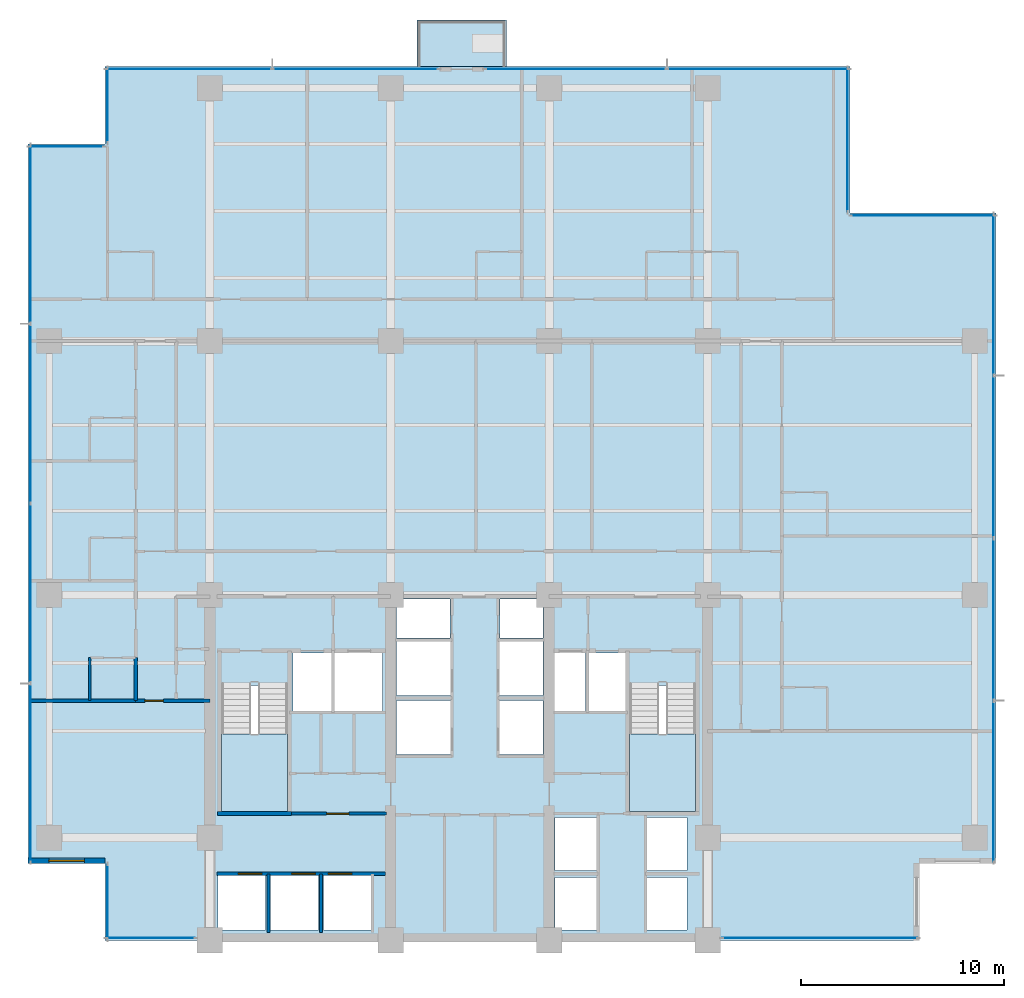
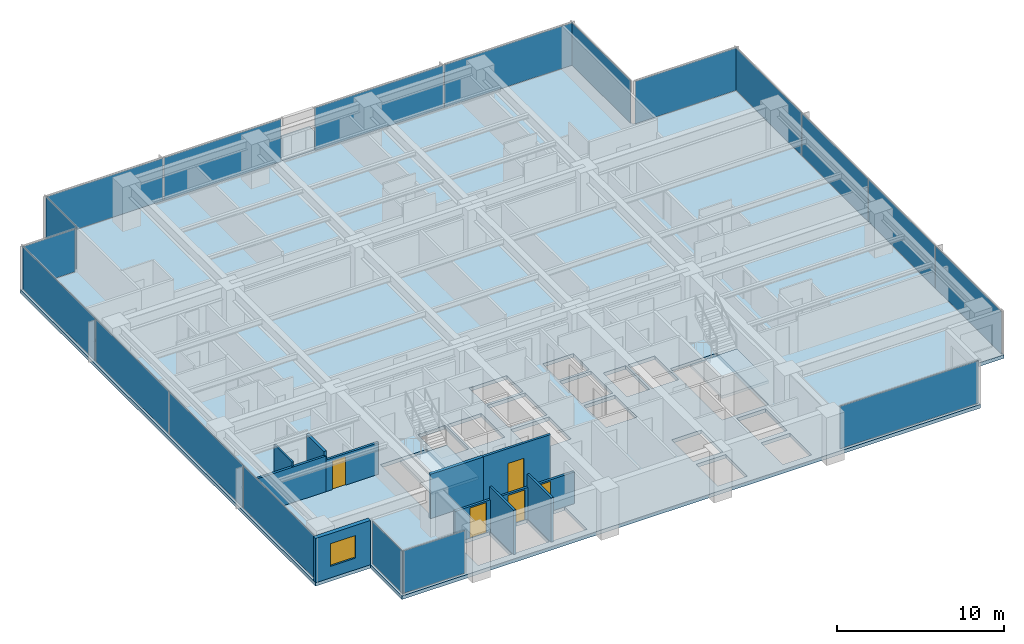
# One storey, part 7 of 17: 19 plates, 10 walls, 5 doors, 4 slabs, 1 window, 6 openings, 13 elements without a shape of their own.
"""IFC4 building model written with IfcOpenShell, lengths in metres."""

from ifc_helpers import new_model, si_unit, direction, frame, frame_2d, origin, origin_2d, place, context, subcontext, project, spatial, polyline, rectangle, outline, extrude, material, layer, layer_set, type_object, element, fill, aggregate, save


model = new_model("IFC4")

# Units and contexts
model_context = context("Model", 3, precision=1e-05, world=origin(), true_north=direction((0.0, 1.0)))
body_context = subcontext(model_context, "Body", "Model", "MODEL_VIEW")
ifc_project = project(units=[si_unit("LENGTHUNIT", "METRE"), si_unit("AREAUNIT", "SQUARE_METRE"), si_unit("VOLUMEUNIT", "CUBIC_METRE"), si_unit("PLANEANGLEUNIT", "RADIAN"), si_unit("MASSUNIT", "GRAM", prefix="KILO")], contexts=[model_context])

# Site, building, storey
site_placement = place(None, origin())
site = spatial("IfcSite", under=ifc_project, at=site_placement, CompositionType="ELEMENT")
building_placement = place(site_placement, origin())
building = spatial("IfcBuilding", under=site, at=building_placement, Name="Qalmaran Belvedere Hotel", CompositionType="ELEMENT")
storey_placement = place(building_placement, frame((0.0, 0.0, 98.699951171875)))
storey = spatial("IfcBuildingStorey", under=building, at=storey_placement, Name="L24", CompositionType="ELEMENT", Elevation=98.699951171875)

# Curtain wall, plate
ifc_material_1 = material(Name="Anodised Bronze Aluminium", Category="aluminium")
ifc_layer_1 = layer(ifc_material_1, 0.199951171875, Name="Anodised Bronze Aluminium")
ifc_layer_set_1 = layer_set([ifc_layer_1], Name="Anodised Bronze Aluminium")
curtain_wall_type = type_object("IfcCurtainWallType", Name="CW3-TOWER-LOWMID", PredefinedType="NOTDEFINED", material=ifc_layer_set_1)
curtain_wall_1_placement = place(storey_placement, origin())
curtain_wall_1 = element("IfcCurtainWall", 1, at=curtain_wall_1_placement, inside=storey, type_object=curtain_wall_type, Name="L24 Curtain Wall CW3", PredefinedType="NOTDEFINED")
ifc_material_2 = material(Name="Solar-Control Double Glazing", Category="glass")
ifc_layer_2 = layer(ifc_material_2, 0.028076171875, Name="Solar-Control Double Glazing")
ifc_layer_set_2 = layer_set([ifc_layer_2], Name="Solar-Control Double Glazing")
plate_type = type_object("IfcPlateType", Name="CWP-VISION-28", PredefinedType="CURTAIN_PANEL", material=ifc_layer_set_2)
plate_1_placement = place(storey_placement, frame((17.392578125, 3.6201171875, 0.06494140625), z_axis=(0.0, 0.0, 1.0), x_axis=(1.0, 0.0, 0.0)))
plate_1 = element("IfcPlate", 2, at=plate_1_placement, type_object=plate_type, Name="CW3 panel 1.1", PredefinedType="CURTAIN_PANEL", context=body_context, shape_type="SweptSolid", body=[
    extrude(rectangle(XDim=4.344970703125, YDim=0.028076171875, at=origin_2d()), origin(), (0.0, 0.0, 1.0), 3.110107421875),
])
aggregate(curtain_wall_1, [plate_1])

curtain_wall_2_placement = place(storey_placement, origin())
curtain_wall_2 = element("IfcCurtainWall", 3, at=curtain_wall_2_placement, inside=storey, type_object=curtain_wall_type, Name="L24 Curtain Wall CW3", PredefinedType="NOTDEFINED")
plate_2_placement = place(storey_placement, frame((50.33251953125, 3.6201171875, 0.06494140625), z_axis=(0.0, 0.0, 1.0), x_axis=(1.0, 0.0, 0.0)))
plate_2 = element("IfcPlate", 4, at=plate_2_placement, type_object=plate_type, Name="CW3 panel 1.1", PredefinedType="CURTAIN_PANEL", context=body_context, shape_type="SweptSolid", body=[
    extrude(rectangle(XDim=9.594970703125, YDim=0.028076171875, at=origin_2d()), origin(), (0.0, 0.0, 1.0), 3.110107421875),
])
aggregate(curtain_wall_2, [plate_2])

# Curtain wall, plates
curtain_wall_3_placement = place(storey_placement, origin())
curtain_wall_3 = element("IfcCurtainWall", 5, at=curtain_wall_3_placement, inside=storey, type_object=curtain_wall_type, Name="L24 Curtain Wall CW3", PredefinedType="NOTDEFINED")
plate_3_placement = place(storey_placement, frame((58.8798828125, 11.3173828125, 0.06494140625), z_axis=(0.0, 0.0, 1.0), x_axis=(0.0, 1.0, 0.0)))
plate_3 = element("IfcPlate", 6, at=plate_3_placement, type_object=plate_type, Name="CW3 panel 1.1", PredefinedType="CURTAIN_PANEL", context=body_context, shape_type="SweptSolid", body=[
    extrude(rectangle(XDim=7.89501953125, YDim=0.028076171875, at=origin_2d()), origin(), (0.0, 0.0, 1.0), 3.110107421875),
])
plate_4_placement = place(storey_placement, frame((58.8798828125, 19.300048828125, 0.06494140625), z_axis=(0.0, 0.0, 1.0), x_axis=(0.0, 1.0, 0.0)))
plate_4 = element("IfcPlate", 7, at=plate_4_placement, type_object=plate_type, Name="CW3 panel 2.1", PredefinedType="CURTAIN_PANEL", context=body_context, shape_type="SweptSolid", body=[
    extrude(rectangle(XDim=7.929931640625, YDim=0.028076171875, at=origin_2d()), origin(), (0.0, 0.0, 1.0), 3.110107421875),
])
plate_5_placement = place(storey_placement, frame((58.8798828125, 27.300048828125, 0.06494140625), z_axis=(0.0, 0.0, 1.0), x_axis=(0.0, 1.0, 0.0)))
plate_5 = element("IfcPlate", 8, at=plate_5_placement, type_object=plate_type, Name="CW3 panel 3.1", PredefinedType="CURTAIN_PANEL", context=body_context, shape_type="SweptSolid", body=[
    extrude(rectangle(XDim=7.929931640625, YDim=0.028076171875, at=origin_2d()), origin(), (0.0, 0.0, 1.0), 3.110107421875),
])
plate_6_placement = place(storey_placement, frame((58.8798828125, 35.282470703125, 0.06494140625), z_axis=(0.0, 0.0, 1.0), x_axis=(0.0, 1.0, 0.0)))
plate_6 = element("IfcPlate", 9, at=plate_6_placement, type_object=plate_type, Name="CW3 panel 4.1", PredefinedType="CURTAIN_PANEL", context=body_context, shape_type="SweptSolid", body=[
    extrude(rectangle(XDim=7.89501953125, YDim=0.028076171875, at=origin_2d()), origin(), (0.0, 0.0, 1.0), 3.110107421875),
])
aggregate(curtain_wall_3, [plate_3, plate_4, plate_5, plate_6])

# Curtain wall, plate
curtain_wall_4_placement = place(storey_placement, origin())
curtain_wall_4 = element("IfcCurtainWall", 10, at=curtain_wall_4_placement, inside=storey, type_object=curtain_wall_type, Name="L24 Curtain Wall CW3", PredefinedType="NOTDEFINED")
plate_7_placement = place(storey_placement, frame((55.39990234375, 39.179931640625, 0.06494140625), z_axis=(0.0, 0.0, 1.0), x_axis=(-1.0, 0.0, 0.0)))
plate_7 = element("IfcPlate", 11, at=plate_7_placement, type_object=plate_type, Name="CW3 panel 1.1", PredefinedType="CURTAIN_PANEL", context=body_context, shape_type="SweptSolid", body=[
    extrude(rectangle(XDim=7.06005859375, YDim=0.028076171875, at=origin_2d()), origin(), (0.0, 0.0, 1.0), 3.110107421875),
])
aggregate(curtain_wall_4, [plate_7])

curtain_wall_5_placement = place(storey_placement, origin())
curtain_wall_5 = element("IfcCurtainWall", 12, at=curtain_wall_5_placement, inside=storey, type_object=curtain_wall_type, Name="L24 Curtain Wall CW3", PredefinedType="NOTDEFINED")
plate_8_placement = place(storey_placement, frame((51.679931640625, 42.89990234375, 0.06494140625), z_axis=(0.0, 0.0, 1.0), x_axis=(0.0, 1.0, 0.0)))
plate_8 = element("IfcPlate", 13, at=plate_8_placement, type_object=plate_type, Name="CW3 panel 1.1", PredefinedType="CURTAIN_PANEL", context=body_context, shape_type="SweptSolid", body=[
    extrude(rectangle(XDim=7.06005859375, YDim=0.028076171875, at=origin_2d()), origin(), (0.0, 0.0, 1.0), 3.110107421875),
])
aggregate(curtain_wall_5, [plate_8])

# Curtain wall, plates
curtain_wall_6_placement = place(storey_placement, origin())
curtain_wall_6 = element("IfcCurtainWall", 14, at=curtain_wall_6_placement, inside=storey, type_object=curtain_wall_type, Name="L24 Curtain Wall CW3", PredefinedType="NOTDEFINED")
plate_9_placement = place(storey_placement, frame((27.469970703125, 46.3798828125, 0.06494140625), z_axis=(0.0, 0.0, 1.0), x_axis=(-1.0, 0.0, 0.0)))
plate_9 = element("IfcPlate", 15, at=plate_9_placement, type_object=plate_type, Name="CW3 panel 1.1", PredefinedType="CURTAIN_PANEL", context=body_context, shape_type="SweptSolid", body=[
    extrude(rectangle(XDim=8.1201171875, YDim=0.028076171875, at=origin_2d()), origin(), (0.0, 0.0, 1.0), 3.110107421875),
])
plate_10_placement = place(storey_placement, frame((19.280029296875, 46.3798828125, 0.06494140625), z_axis=(0.0, 0.0, 1.0), x_axis=(-1.0, 0.0, 0.0)))
plate_10 = element("IfcPlate", 16, at=plate_10_placement, type_object=plate_type, Name="CW3 panel 2.1", PredefinedType="CURTAIN_PANEL", context=body_context, shape_type="SweptSolid", body=[
    extrude(rectangle(XDim=8.1201171875, YDim=0.028076171875, at=origin_2d()), origin(), (0.0, 0.0, 1.0), 3.110107421875),
])
aggregate(curtain_wall_6, [plate_9, plate_10])

curtain_wall_7_placement = place(storey_placement, origin())
curtain_wall_7 = element("IfcCurtainWall", 17, at=curtain_wall_7_placement, inside=storey, type_object=curtain_wall_type, Name="L24 Curtain Wall CW3", PredefinedType="NOTDEFINED")
plate_11_placement = place(storey_placement, frame((47.282470703125, 46.3798828125, 0.06494140625), z_axis=(0.0, 0.0, 1.0), x_axis=(-1.0, 0.0, 0.0)))
plate_11 = element("IfcPlate", 18, at=plate_11_placement, type_object=plate_type, Name="CW3 panel 1.1", PredefinedType="CURTAIN_PANEL", context=body_context, shape_type="SweptSolid", body=[
    extrude(rectangle(XDim=8.89501953125, YDim=0.028076171875, at=origin_2d()), origin(), (0.0, 0.0, 1.0), 3.110107421875),
])
plate_12_placement = place(storey_placement, frame((38.3173828125, 46.3798828125, 0.06494140625), z_axis=(0.0, 0.0, 1.0), x_axis=(-1.0, 0.0, 0.0)))
plate_12 = element("IfcPlate", 19, at=plate_12_placement, type_object=plate_type, Name="CW3 panel 2.1", PredefinedType="CURTAIN_PANEL", context=body_context, shape_type="SweptSolid", body=[
    extrude(rectangle(XDim=8.89501953125, YDim=0.028076171875, at=origin_2d()), origin(), (0.0, 0.0, 1.0), 3.110107421875),
])
aggregate(curtain_wall_7, [plate_11, plate_12])

# Curtain wall, plate
curtain_wall_8_placement = place(storey_placement, origin())
curtain_wall_8 = element("IfcCurtainWall", 20, at=curtain_wall_8_placement, inside=storey, type_object=curtain_wall_type, Name="L24 Curtain Wall CW3", PredefinedType="NOTDEFINED")
plate_13_placement = place(storey_placement, frame((15.27001953125, 44.60009765625, 0.06494140625), z_axis=(0.0, 0.0, 1.0), x_axis=(0.0, -1.0, 0.0)))
plate_13 = element("IfcPlate", 21, at=plate_13_placement, type_object=plate_type, Name="CW3 panel 1.1", PredefinedType="CURTAIN_PANEL", context=body_context, shape_type="SweptSolid", body=[
    extrude(rectangle(XDim=3.659912109375, YDim=0.028076171875, at=origin_2d()), origin(), (0.0, 0.0, 1.0), 3.110107421875),
])
aggregate(curtain_wall_8, [plate_13])

curtain_wall_9_placement = place(storey_placement, origin())
curtain_wall_9 = element("IfcCurtainWall", 22, at=curtain_wall_9_placement, inside=storey, type_object=curtain_wall_type, Name="L24 Curtain Wall CW3", PredefinedType="NOTDEFINED")
plate_14_placement = place(storey_placement, frame((13.25, 42.580078125, 0.06494140625), z_axis=(0.0, 0.0, 1.0), x_axis=(-1.0, 0.0, 0.0)))
plate_14 = element("IfcPlate", 23, at=plate_14_placement, type_object=plate_type, Name="CW3 panel 1.1", PredefinedType="CURTAIN_PANEL", context=body_context, shape_type="SweptSolid", body=[
    extrude(rectangle(XDim=3.659912109375, YDim=0.028076171875, at=origin_2d()), origin(), (0.0, 0.0, 1.0), 3.110107421875),
])
aggregate(curtain_wall_9, [plate_14])

# Curtain wall, plates
curtain_wall_10_placement = place(storey_placement, origin())
curtain_wall_10 = element("IfcCurtainWall", 24, at=curtain_wall_10_placement, inside=storey, type_object=curtain_wall_type, Name="L24 Curtain Wall CW3", PredefinedType="NOTDEFINED")
plate_15_placement = place(storey_placement, frame((11.469970703125, 38.257568359375, 0.06494140625), z_axis=(0.0, 0.0, 1.0), x_axis=(0.0, -1.0, 0.0)))
plate_15 = element("IfcPlate", 25, at=plate_15_placement, type_object=plate_type, Name="CW3 panel 1.1", PredefinedType="CURTAIN_PANEL", context=body_context, shape_type="SweptSolid", body=[
    extrude(rectangle(XDim=8.7451171875, YDim=0.028076171875, at=origin_2d()), origin(), (0.0, 0.0, 1.0), 3.110107421875),
])
plate_16_placement = place(storey_placement, frame((11.469970703125, 29.425048828125, 0.06494140625), z_axis=(0.0, 0.0, 1.0), x_axis=(0.0, -1.0, 0.0)))
plate_16 = element("IfcPlate", 26, at=plate_16_placement, type_object=plate_type, Name="CW3 panel 2.1", PredefinedType="CURTAIN_PANEL", context=body_context, shape_type="SweptSolid", body=[
    extrude(rectangle(XDim=8.780029296875, YDim=0.028076171875, at=origin_2d()), origin(), (0.0, 0.0, 1.0), 3.110107421875),
])
plate_17_placement = place(storey_placement, frame((11.469970703125, 20.574951171875, 0.06494140625), z_axis=(0.0, 0.0, 1.0), x_axis=(0.0, -1.0, 0.0)))
plate_17 = element("IfcPlate", 27, at=plate_17_placement, type_object=plate_type, Name="CW3 panel 3.1", PredefinedType="CURTAIN_PANEL", context=body_context, shape_type="SweptSolid", body=[
    extrude(rectangle(XDim=8.780029296875, YDim=0.028076171875, at=origin_2d()), origin(), (0.0, 0.0, 1.0), 3.110107421875),
])
plate_18_placement = place(storey_placement, frame((11.469970703125, 11.742431640625, 0.06494140625), z_axis=(0.0, 0.0, 1.0), x_axis=(0.0, -1.0, 0.0)))
plate_18 = element("IfcPlate", 28, at=plate_18_placement, type_object=plate_type, Name="CW3 panel 4.1", PredefinedType="CURTAIN_PANEL", context=body_context, shape_type="SweptSolid", body=[
    extrude(rectangle(XDim=8.7451171875, YDim=0.028076171875, at=origin_2d()), origin(), (0.0, 0.0, 1.0), 3.110107421875),
])
aggregate(curtain_wall_10, [plate_15, plate_16, plate_17, plate_18])

# Curtain wall, plate
curtain_wall_11_placement = place(storey_placement, origin())
curtain_wall_11 = element("IfcCurtainWall", 29, at=curtain_wall_11_placement, inside=storey, type_object=curtain_wall_type, Name="L24 Curtain Wall CW3", PredefinedType="NOTDEFINED")
plate_19_placement = place(storey_placement, frame((15.27001953125, 5.39990234375, 0.06494140625), z_axis=(0.0, 0.0, 1.0), x_axis=(0.0, -1.0, 0.0)))
plate_19 = element("IfcPlate", 30, at=plate_19_placement, type_object=plate_type, Name="CW3 panel 1.1", PredefinedType="CURTAIN_PANEL", context=body_context, shape_type="SweptSolid", body=[
    extrude(rectangle(XDim=3.659912109375, YDim=0.028076171875, at=origin_2d()), origin(), (0.0, 0.0, 1.0), 3.110107421875),
])
aggregate(curtain_wall_11, [plate_19])

# Slab
ifc_material_3 = material(Name="Concrete C40/50", Category="concrete")
ifc_layer_3 = layer(ifc_material_3, 0.219970703125, Name="Concrete C40/50")
ifc_layer_set_3 = layer_set([ifc_layer_3], Name="Concrete C40/50")
slab_type_1 = type_object("IfcSlabType", Name="SLB-BAL-220", PredefinedType="USERDEFINED", material=ifc_layer_set_3)
slab_1_placement = place(storey_placement, frame((0.0, 0.0, -0.219970703125)))
element("IfcSlab", 31, at=slab_1_placement, inside=storey, type_object=slab_type_1, Name="L24 Planted Tree Balcony Slab 1", ObjectType="BALCONY", PredefinedType="USERDEFINED", context=body_context, shape_type="SweptSolid", body=[
    extrude(outline(polyline([(30.5, 46.5), (34.89990234375, 46.5), (34.89990234375, 48.800048828125), (30.5, 48.800048828125), (30.5, 46.5)])), origin(), (0.0, 0.0, 1.0), 0.219970703125),
])

# Stair, slab
stair_type_1 = type_object("IfcStairType", Name="STR-ST-1-1450-R1750", PredefinedType="HALF_TURN_STAIR", material=ifc_material_3)
stair_1_placement = place(storey_placement, origin())
stair_1 = element("IfcStair", 32, at=stair_1_placement, inside=storey, type_object=stair_type_1, Name="L24 West Core Exit Stair ST-1", PredefinedType="HALF_TURN_STAIR")
ifc_layer_4 = layer(ifc_material_3, 0.199951171875, Name="Concrete C40/50")
ifc_layer_set_4 = layer_set([ifc_layer_4], Name="Concrete C40/50")
slab_type_2 = type_object("IfcSlabType", Name="SLB-STAIR-LANDING-200", PredefinedType="LANDING", material=ifc_layer_set_4)
slab_2_placement = place(storey_placement, frame((0.0, 0.0, 1.550048828125)))
slab_2 = element("IfcSlab", 33, at=slab_2_placement, type_object=slab_type_2, Name="ST-1 landing 1", PredefinedType="LANDING", context=body_context, shape_type="SweptSolid", body=[
    extrude(outline(polyline([(20.8798828125, 13.669921875), (20.8798828125, 9.85009765625), (24.1201171875, 9.85009765625), (24.1201171875, 13.669921875), (20.8798828125, 13.669921875)])), origin(), (0.0, 0.0, 1.0), 0.199951171875),
])
aggregate(stair_1, [slab_2])

stair_type_2 = type_object("IfcStairType", Name="STR-ST-2-1450-R1750", PredefinedType="HALF_TURN_STAIR", material=ifc_material_3)
stair_2_placement = place(storey_placement, origin())
stair_2 = element("IfcStair", 34, at=stair_2_placement, inside=storey, type_object=stair_type_2, Name="L24 East Core Exit Stair ST-2", PredefinedType="HALF_TURN_STAIR")
slab_3_placement = place(storey_placement, frame((0.0, 0.0, 1.550048828125)))
slab_3 = element("IfcSlab", 35, at=slab_3_placement, type_object=slab_type_2, Name="ST-2 landing 1", PredefinedType="LANDING", context=body_context, shape_type="SweptSolid", body=[
    extrude(outline(polyline([(40.9599609375, 13.669921875), (40.9599609375, 9.85009765625), (44.199951171875, 9.85009765625), (44.199951171875, 13.669921875), (40.9599609375, 13.669921875)])), origin(), (0.0, 0.0, 1.0), 0.199951171875),
])
aggregate(stair_2, [slab_3])

# Slab
ifc_layer_5 = layer(ifc_material_3, 0.260009765625, Name="Concrete C40/50")
ifc_layer_set_5 = layer_set([ifc_layer_5], Name="Concrete C40/50")
slab_type_3 = type_object("IfcSlabType", Name="SLB-Z2-260", PredefinedType="FLOOR", material=ifc_layer_set_5)
slab_4_placement = place(storey_placement, frame((0.0, 0.0, -0.260009765625)))
element("IfcSlab", 36, at=slab_4_placement, inside=storey, type_object=slab_type_3, Name="L24 Structural Floor Slab", PredefinedType="FLOOR", context=body_context, shape_type="SweptSolid", body=[
    extrude(outline(polyline([(15.14990234375, 3.5), (55.199951171875, 3.5), (55.199951171875, 7.300048828125), (59.0, 7.300048828125), (59.0, 39.300048828125), (51.800048828125, 39.300048828125), (51.800048828125, 46.5), (15.14990234375, 46.5), (15.14990234375, 42.699951171875), (11.35009765625, 42.699951171875), (11.35009765625, 7.300048828125), (15.14990234375, 7.300048828125), (15.14990234375, 3.5)]), holes=[polyline([(20.8798828125, 9.85009765625), (24.1201171875, 9.85009765625), (24.1201171875, 16.0400390625), (20.8798828125, 16.0400390625), (20.8798828125, 9.85009765625)]), polyline([(40.9599609375, 9.85009765625), (44.199951171875, 9.85009765625), (44.199951171875, 16.0400390625), (40.9599609375, 16.0400390625), (40.9599609375, 9.85009765625)]), polyline([(29.4951171875, 12.64990234375), (32.14990234375, 12.64990234375), (32.14990234375, 15.300048828125), (29.4951171875, 15.300048828125), (29.4951171875, 12.64990234375)]), polyline([(29.4951171875, 15.550048828125), (32.14990234375, 15.550048828125), (32.14990234375, 18.199951171875), (29.4951171875, 18.199951171875), (29.4951171875, 15.550048828125)]), polyline([(34.550048828125, 12.64990234375), (36.705078125, 12.64990234375), (36.705078125, 15.300048828125), (34.550048828125, 15.300048828125), (34.550048828125, 12.64990234375)]), polyline([(34.550048828125, 15.550048828125), (36.705078125, 15.550048828125), (36.705078125, 18.199951171875), (34.550048828125, 18.199951171875), (34.550048828125, 15.550048828125)]), polyline([(37.300048828125, 4.0), (39.35009765625, 4.0), (39.35009765625, 6.60009765625), (37.300048828125, 6.60009765625), (37.300048828125, 4.0)]), polyline([(37.300048828125, 6.949951171875), (39.35009765625, 6.949951171875), (39.35009765625, 9.550048828125), (37.300048828125, 9.550048828125), (37.300048828125, 6.949951171875)]), polyline([(41.800048828125, 4.0), (43.800048828125, 4.0), (43.800048828125, 6.60009765625), (41.800048828125, 6.60009765625), (41.800048828125, 4.0)]), polyline([(41.800048828125, 6.949951171875), (43.800048828125, 6.949951171875), (43.800048828125, 9.550048828125), (41.800048828125, 9.550048828125), (41.800048828125, 6.949951171875)]), polyline([(20.699951171875, 4.0), (23.050048828125, 4.0), (23.050048828125, 6.699951171875), (20.699951171875, 6.699951171875), (20.699951171875, 4.0)]), polyline([(23.300048828125, 4.0), (25.64990234375, 4.0), (25.64990234375, 6.699951171875), (23.300048828125, 6.699951171875), (23.300048828125, 4.0)]), polyline([(25.89990234375, 4.0), (28.25, 4.0), (28.25, 6.699951171875), (25.89990234375, 6.699951171875), (25.89990234375, 4.0)]), polyline([(24.39990234375, 14.800048828125), (26.300048828125, 14.800048828125), (26.300048828125, 17.64990234375), (24.39990234375, 17.64990234375), (24.39990234375, 14.800048828125)]), polyline([(38.949951171875, 14.800048828125), (40.820068359375, 14.800048828125), (40.820068359375, 17.64990234375), (38.949951171875, 17.64990234375), (38.949951171875, 14.800048828125)]), polyline([(26.449951171875, 14.800048828125), (28.800048828125, 14.800048828125), (28.800048828125, 17.64990234375), (26.449951171875, 17.64990234375), (26.449951171875, 14.800048828125)]), polyline([(37.25, 14.800048828125), (38.800048828125, 14.800048828125), (38.800048828125, 17.64990234375), (37.25, 17.64990234375), (37.25, 14.800048828125)]), polyline([(29.4951171875, 18.3798828125), (32.1201171875, 18.3798828125), (32.1201171875, 20.300048828125), (29.4951171875, 20.300048828125), (29.4951171875, 18.3798828125)]), polyline([(34.580078125, 18.3798828125), (36.705078125, 18.3798828125), (36.705078125, 20.300048828125), (34.580078125, 20.300048828125), (34.580078125, 18.3798828125)])]), origin(), (0.0, 0.0, 1.0), 0.260009765625),
])

# Wall, opening, window
ifc_material_4 = material(Name="Anodised Bronze Cladding")
ifc_layer_6 = layer(ifc_material_4, 0.280029296875, Name="Anodised Bronze Cladding")
ifc_layer_set_6 = layer_set([ifc_layer_6], Name="Anodised Bronze Cladding")
wall_type_1 = type_object("IfcWallType", Name="WL-EXT-BRNZ-280", PredefinedType="SOLIDWALL", material=ifc_layer_set_6)
wall_1_placement = place(storey_placement, frame((11.35009765625, 7.419921875, 0.0), z_axis=(0.0, 0.0, 1.0), x_axis=(1.0, 0.0, 0.0)))
wall_1 = element("IfcWall", 37, at=wall_1_placement, inside=storey, type_object=wall_type_1, Name="L24 Corner Notch Wall 10", PredefinedType="SOLIDWALL", context=body_context, shape_type="SweptSolid", body=[
    extrude(rectangle(XDim=3.7998046875, YDim=0.280029296875, at=frame_2d((1.89990234375, 0.0))), origin(), (0.0, 0.0, 1.0), 3.239990234375),
])
opening_1_placement = place(wall_1_placement, frame((1.02490234375, 0.0, 0.85009765625)))
opening_1 = element("IfcOpeningElement", 38, at=opening_1_placement, cuts=wall_1, Name="Opening W-N17", PredefinedType="OPENING", context=body_context, shape_type="SweptSolid", body=[
    extrude(rectangle(XDim=1.75, YDim=1.64990234375, at=frame_2d((0.875, 0.824951171875))), frame((0.0, 0.14990234375, 0.0), z_axis=(0.0, -1.0, 0.0), x_axis=(1.0, 0.0, 0.0)), (0.0, 0.0, 1.0), 0.300048828125),
])
window_type = type_object("IfcWindowType", Name="WN-NTC-1750X1650", PartitioningType="SINGLE_PANEL", PredefinedType="WINDOW", material=ifc_material_2)
window_placement = place(opening_1_placement, origin())
window = element("IfcWindow", 39, at=window_placement, inside=storey, type_object=window_type, Name="L24 Corner Notch Window 10", OverallHeight=1.64990234375, OverallWidth=1.75, PartitioningType="SINGLE_PANEL", PredefinedType="WINDOW", context=body_context, shape_type="SweptSolid", body=[
    extrude(rectangle(XDim=1.75, YDim=1.64990234375, at=frame_2d((0.875, 0.824951171875))), frame((0.0, 0.030029296875, 0.0), z_axis=(0.0, -1.0, 0.0), x_axis=(1.0, 0.0, 0.0)), (0.0, 0.0, 1.0), 0.06005859375),
])
fill(opening_1, window)

# Walls
ifc_material_5 = material(Name="Moisture-Resistant Gypsum")
ifc_layer_7 = layer(ifc_material_5, 0.1201171875, Name="Moisture-Resistant Gypsum")
ifc_layer_set_7 = layer_set([ifc_layer_7], Name="Moisture-Resistant Gypsum")
wall_type_2 = type_object("IfcWallType", Name="WL-INT-120-BATH", PredefinedType="PARTITIONING", material=ifc_layer_set_7)
wall_2_placement = place(storey_placement, frame((14.39990234375, 15.300048828125, 0.0), z_axis=(0.0, 0.0, 1.0), x_axis=(0.0, 1.0, 0.0)))
element("IfcWall", 40, at=wall_2_placement, inside=storey, type_object=wall_type_2, Name="L24 Partition WL-L24-WBS00", PredefinedType="PARTITIONING", context=body_context, shape_type="SweptSolid", body=[
    extrude(rectangle(XDim=2.119873046875, YDim=0.1201171875, at=frame_2d((1.06005859375, 0.0))), origin(), (0.0, 0.0, 1.0), 2.922119140625),
])
ifc_material_6 = material(Name="Gypsum Stud Partition")
ifc_layer_8 = layer(ifc_material_6, 0.14990234375, Name="Gypsum Stud Partition")
ifc_layer_set_8 = layer_set([ifc_layer_8], Name="Gypsum Stud Partition")
wall_type_3 = type_object("IfcWallType", Name="WL-INT-150-EI120", PredefinedType="PARTITIONING", material=ifc_layer_set_8)
for number, where, z_axis, x_axis, name in (
    (41, (23.179931640625, 3.89990234375, 0.0), (0.0, 0.0, 1.0), (0.0, 1.0, 0.0), "L24 Partition WL-POM1-L24"),
    (42, (25.780029296875, 3.89990234375, 0.0), (0.0, 0.0, 1.0), (0.0, 1.0, 0.0), "L24 Partition WL-POM2-L24"),
):
    element("IfcWall", number, at=place(storey_placement, frame(where, z_axis=z_axis, x_axis=x_axis)), inside=storey, type_object=wall_type_3, Name=name, PredefinedType="PARTITIONING", context=body_context, shape_type="SweptSolid", body=[
        extrude(rectangle(XDim=2.880126953125, YDim=0.14990234375, at=frame_2d((1.43994140625, 0.0))), origin(), (0.0, 0.0, 1.0), 3.239990234375),
    ])

# Wall, openings, doors
ifc_layer_9 = layer(ifc_material_6, 0.159912109375, Name="Gypsum Stud Partition")
ifc_layer_set_9 = layer_set([ifc_layer_9], Name="Gypsum Stud Partition")
wall_type_4 = type_object("IfcWallType", Name="WL-INT-160-EI120", PredefinedType="PARTITIONING", material=ifc_layer_set_9)
wall_3_placement = place(storey_placement, frame((20.64990234375, 6.780029296875, 0.0), z_axis=(0.0, 0.0, 1.0), x_axis=(1.0, 0.0, 0.0)))
wall_3 = element("IfcWall", 43, at=wall_3_placement, inside=storey, type_object=wall_type_4, Name="L24 Partition WL-POS-L24", PredefinedType="PARTITIONING", context=body_context, shape_type="SweptSolid", body=[
    extrude(rectangle(XDim=8.300048828125, YDim=0.159912109375, at=frame_2d((4.14990234375, 0.0))), origin(), (0.0, 0.0, 1.0), 2.31298828125),
])
opening_2_placement = place(wall_3_placement, frame((3.69482421875, 0.0, 0.0)))
opening_2 = element("IfcOpeningElement", 44, at=opening_2_placement, cuts=wall_3, Name="Opening LD-PO", PredefinedType="OPENING", context=body_context, shape_type="SweptSolid", body=[
    extrude(rectangle(XDim=1.14990234375, YDim=2.199951171875, at=frame_2d((0.574951171875, 1.10009765625))), frame((0.0, 0.08984375, 0.0), z_axis=(0.0, -1.0, 0.0), x_axis=(1.0, 0.0, 0.0)), (0.0, 0.0, 1.0), 0.179931640625),
])
opening_3_placement = place(wall_3_placement, frame((5.4921875, 0.0, 0.0)))
opening_3 = element("IfcOpeningElement", 45, at=opening_3_placement, cuts=wall_3, Name="Opening LD-PO", PredefinedType="OPENING", context=body_context, shape_type="SweptSolid", body=[
    extrude(rectangle(XDim=1.14990234375, YDim=2.199951171875, at=frame_2d((0.574951171875, 1.10009765625))), frame((0.0, 0.08984375, 0.0), z_axis=(0.0, -1.0, 0.0), x_axis=(1.0, 0.0, 0.0)), (0.0, 0.0, 1.0), 0.179931640625),
])
opening_4_placement = place(wall_3_placement, frame((1.058837890625, 0.0, 0.0)))
opening_4 = element("IfcOpeningElement", 46, at=opening_4_placement, cuts=wall_3, Name="Opening LD-PO", PredefinedType="OPENING", context=body_context, shape_type="SweptSolid", body=[
    extrude(rectangle(XDim=1.14990234375, YDim=2.199951171875, at=frame_2d((0.574951171875, 1.10009765625))), frame((0.0, 0.08984375, 0.0), z_axis=(0.0, -1.0, 0.0), x_axis=(1.0, 0.0, 0.0)), (0.0, 0.0, 1.0), 0.179931640625),
])
door_type_1 = type_object("IfcDoorType", Name="DR-LIFT-PO-1150X2200", OperationType="DOUBLE_DOOR_SLIDING", PredefinedType="DOOR", material=ifc_material_1)
door_1_placement = place(opening_2_placement, origin())
door_1 = element("IfcDoor", 47, at=door_1_placement, inside=storey, type_object=door_type_1, Name="L24 PO1 Shuttle Landing Door", OperationType="DOUBLE_DOOR_SLIDING", OverallHeight=2.199951171875, OverallWidth=1.14990234375, PredefinedType="DOOR", context=body_context, shape_type="SweptSolid", body=[
    extrude(rectangle(XDim=1.14990234375, YDim=2.199951171875, at=frame_2d((0.574951171875, 1.10009765625))), frame((0.0, 0.02490234375, 0.0), z_axis=(0.0, -1.0, 0.0), x_axis=(1.0, 0.0, 0.0)), (0.0, 0.0, 1.0), 0.050048828125),
])
fill(opening_2, door_1)
door_2_placement = place(opening_3_placement, origin())
door_2 = element("IfcDoor", 48, at=door_2_placement, inside=storey, type_object=door_type_1, Name="L24 PO2 Shuttle Landing Door", OperationType="DOUBLE_DOOR_SLIDING", OverallHeight=2.199951171875, OverallWidth=1.14990234375, PredefinedType="DOOR", context=body_context, shape_type="SweptSolid", body=[
    extrude(rectangle(XDim=1.14990234375, YDim=2.199951171875, at=frame_2d((0.574951171875, 1.10009765625))), frame((0.0, 0.02490234375, 0.0), z_axis=(0.0, -1.0, 0.0), x_axis=(1.0, 0.0, 0.0)), (0.0, 0.0, 1.0), 0.050048828125),
])
fill(opening_3, door_2)
door_3_placement = place(opening_4_placement, origin())
door_3 = element("IfcDoor", 49, at=door_3_placement, inside=storey, type_object=door_type_1, Name="L24 PO3 Shuttle Landing Door", OperationType="DOUBLE_DOOR_SLIDING", OverallHeight=2.199951171875, OverallWidth=1.14990234375, PredefinedType="DOOR", context=body_context, shape_type="SweptSolid", body=[
    extrude(rectangle(XDim=1.14990234375, YDim=2.199951171875, at=frame_2d((0.574951171875, 1.10009765625))), frame((0.0, 0.02490234375, 0.0), z_axis=(0.0, -1.0, 0.0), x_axis=(1.0, 0.0, 0.0)), (0.0, 0.0, 1.0), 0.050048828125),
])
fill(opening_4, door_3)

# Wall, opening, door
wall_4_placement = place(storey_placement, frame((24.199951171875, 9.739990234375, 0.0), z_axis=(0.0, 0.0, 1.0), x_axis=(1.0, 0.0, 0.0)))
wall_4 = element("IfcWall", 50, at=wall_4_placement, inside=storey, type_object=wall_type_4, Name="L24 Partition WL-PON-L24", PredefinedType="PARTITIONING", context=body_context, shape_type="SweptSolid", body=[
    extrude(rectangle(XDim=4.800048828125, YDim=0.159912109375, at=frame_2d((2.39990234375, 0.0))), origin(), (0.0, 0.0, 1.0), 3.239990234375),
])
opening_5_placement = place(wall_4_placement, frame((1.85009765625, 0.0, 0.0)))
opening_5 = element("IfcOpeningElement", 51, at=opening_5_placement, cuts=wall_4, Name="Opening FD90", PredefinedType="OPENING", context=body_context, shape_type="SweptSolid", body=[
    extrude(rectangle(XDim=1.10009765625, YDim=2.14990234375, at=frame_2d((0.550048828125, 1.074951171875))), frame((0.0, 0.08984375, 0.0), z_axis=(0.0, -1.0, 0.0), x_axis=(1.0, 0.0, 0.0)), (0.0, 0.0, 1.0), 0.179931640625),
])
ifc_material_7 = material(Name="Steel S355JR", Category="steel")
door_type_2 = type_object("IfcDoorType", Name="DR-FD90-1100X2150", OperationType="NOTDEFINED", PredefinedType="DOOR", material=ifc_material_7)
door_4_placement = place(opening_5_placement, origin())
door_4 = element("IfcDoor", 52, at=door_4_placement, inside=storey, type_object=door_type_2, Name="L24 Shuttle Lobby Passage Door", OperationType="SINGLE_SWING_RIGHT", OverallHeight=2.14990234375, OverallWidth=1.10009765625, PredefinedType="DOOR", context=body_context, shape_type="SweptSolid", body=[
    extrude(rectangle(XDim=1.10009765625, YDim=2.14990234375, at=frame_2d((0.550048828125, 1.074951171875))), frame((0.0, 0.02490234375, 0.0), z_axis=(0.0, -1.0, 0.0), x_axis=(1.0, 0.0, 0.0)), (0.0, 0.0, 1.0), 0.050048828125),
])
fill(opening_5, door_4)

ifc_layer_10 = layer(ifc_material_6, 0.159912109375, Name="Gypsum Stud Partition")
ifc_layer_set_10 = layer_set([ifc_layer_10], Name="Gypsum Stud Partition")
wall_type_5 = type_object("IfcWallType", Name="WL-INT-160-EI60", PredefinedType="PARTITIONING", material=ifc_layer_set_10)
wall_5_placement = place(storey_placement, frame((16.64990234375, 15.300048828125, 0.0), z_axis=(0.0, 0.0, 1.0), x_axis=(1.0, 0.0, 0.0)))
wall_5 = element("IfcWall", 53, at=wall_5_placement, inside=storey, type_object=wall_type_5, Name="L24 Partition WL-L24-SWRL", PredefinedType="PARTITIONING", context=body_context, shape_type="SweptSolid", body=[
    extrude(rectangle(XDim=3.650146484375, YDim=0.159912109375, at=frame_2d((1.8251953125, 0.0))), origin(), (0.0, 0.0, 1.0), 2.31298828125),
])
opening_6_placement = place(wall_5_placement, frame((1.369873046875, 0.0, 0.0), z_axis=(0.0, 0.0, 1.0), x_axis=(-1.0, 0.0, 0.0)))
opening_6 = element("IfcOpeningElement", 54, at=opening_6_placement, cuts=wall_5, Name="Opening FD60S1", PredefinedType="OPENING", context=body_context, shape_type="SweptSolid", body=[
    extrude(rectangle(XDim=0.919921875, YDim=2.080078125, at=frame_2d((0.4599609375, 1.0400390625))), frame((0.0, 0.08984375, 0.0), z_axis=(0.0, -1.0, 0.0), x_axis=(1.0, 0.0, 0.0)), (0.0, 0.0, 1.0), 0.179931640625),
])
ifc_material_8 = material(Name="Engineered Oak Veneer")
door_type_3 = type_object("IfcDoorType", Name="DR-FD60S-920X2080", OperationType="NOTDEFINED", PredefinedType="DOOR", material=ifc_material_8)
door_5_placement = place(opening_6_placement, origin())
door_5 = element("IfcDoor", 55, at=door_5_placement, inside=storey, type_object=door_type_3, Name="L24 SW Lounge Door", OperationType="SINGLE_SWING_LEFT", OverallHeight=2.080078125, OverallWidth=0.919921875, PredefinedType="DOOR", context=body_context, shape_type="SweptSolid", body=[
    extrude(rectangle(XDim=0.919921875, YDim=2.080078125, at=frame_2d((0.4599609375, 1.0400390625))), frame((0.0, 0.02490234375, 0.0), z_axis=(0.0, -1.0, 0.0), x_axis=(1.0, 0.0, 0.0)), (0.0, 0.0, 1.0), 0.050048828125),
])
fill(opening_6, door_5)

# Walls
wall_6_placement = place(storey_placement, frame((11.469970703125, 15.300048828125, 0.0), z_axis=(0.0, 0.0, 1.0), x_axis=(1.0, 0.0, 0.0)))
element("IfcWall", 56, at=wall_6_placement, inside=storey, type_object=wall_type_5, Name="L24 Partition WL-L24-WBOT", PredefinedType="PARTITIONING", context=body_context, shape_type="SweptSolid", body=[
    extrude(rectangle(XDim=5.179931640625, YDim=0.159912109375, at=frame_2d((2.58984375, 0.0))), origin(), (0.0, 0.0, 1.0), 2.60302734375),
])
ifc_layer_11 = layer(ifc_material_6, 0.179931640625, Name="Gypsum Stud Partition")
ifc_layer_set_11 = layer_set([ifc_layer_11], Name="Gypsum Stud Partition")
wall_type_6 = type_object("IfcWallType", Name="WL-INT-180-EI60", PredefinedType="PARTITIONING", material=ifc_layer_set_11)
wall_7_placement = place(storey_placement, frame((16.64990234375, 15.300048828125, 0.0), z_axis=(0.0, 0.0, 1.0), x_axis=(0.0, 1.0, 0.0)))
element("IfcWall", 57, at=wall_7_placement, inside=storey, type_object=wall_type_6, Name="L24 Partition WL-L24-WBC00", PredefinedType="PARTITIONING", context=body_context, shape_type="SweptSolid", body=[
    extrude(rectangle(XDim=2.119873046875, YDim=0.179931640625, at=frame_2d((1.06005859375, 0.0))), origin(), (0.0, 0.0, 1.0), 2.922119140625),
])
ifc_material_9 = material(Name="Concrete C50/60", Category="concrete")
ifc_layer_12 = layer(ifc_material_9, 0.2099609375, Name="Concrete C50/60")
ifc_layer_set_12 = layer_set([ifc_layer_12], Name="Concrete C50/60")
wall_type_7 = type_object("IfcWallType", Name="WL-STAIR-210-C50", PredefinedType="SHEAR", material=ifc_layer_set_12)
wall_8_placement = place(storey_placement, frame((20.669921875, 9.7451171875, 0.0), z_axis=(0.0, 0.0, 1.0), x_axis=(1.0, 0.0, 0.0)))
element("IfcWall", 58, at=wall_8_placement, inside=storey, type_object=wall_type_7, Name="L24 Stair ST-1 South Bearing Wall", PredefinedType="SHEAR", context=body_context, shape_type="SweptSolid", body=[
    extrude(rectangle(XDim=3.66015625, YDim=0.2099609375, at=frame_2d((1.830078125, 0.0))), origin(), (0.0, 0.0, 1.0), 3.239990234375),
])

save(model, "model.ifc")
